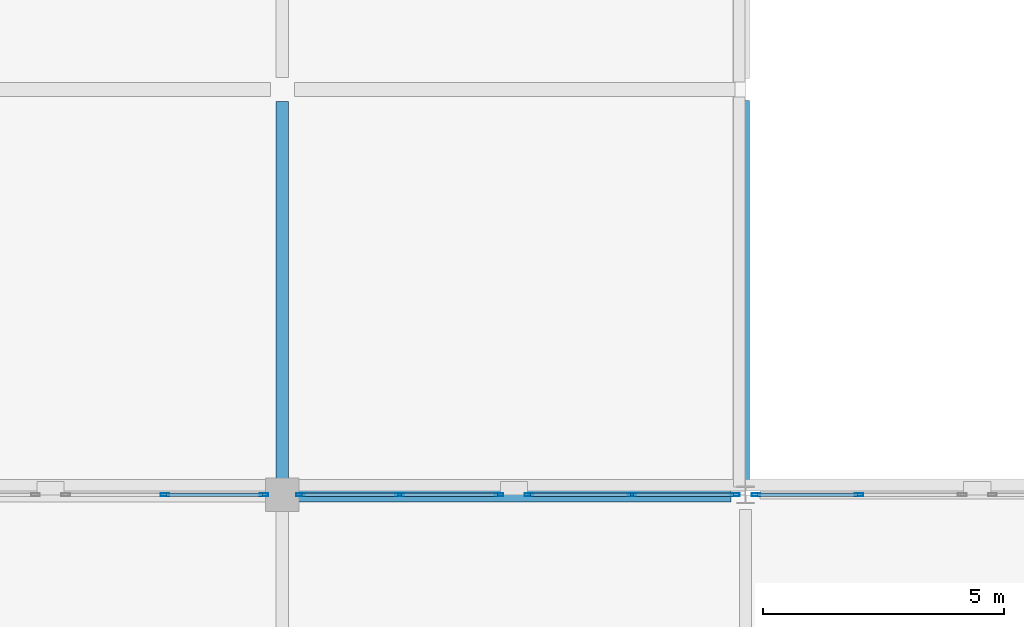
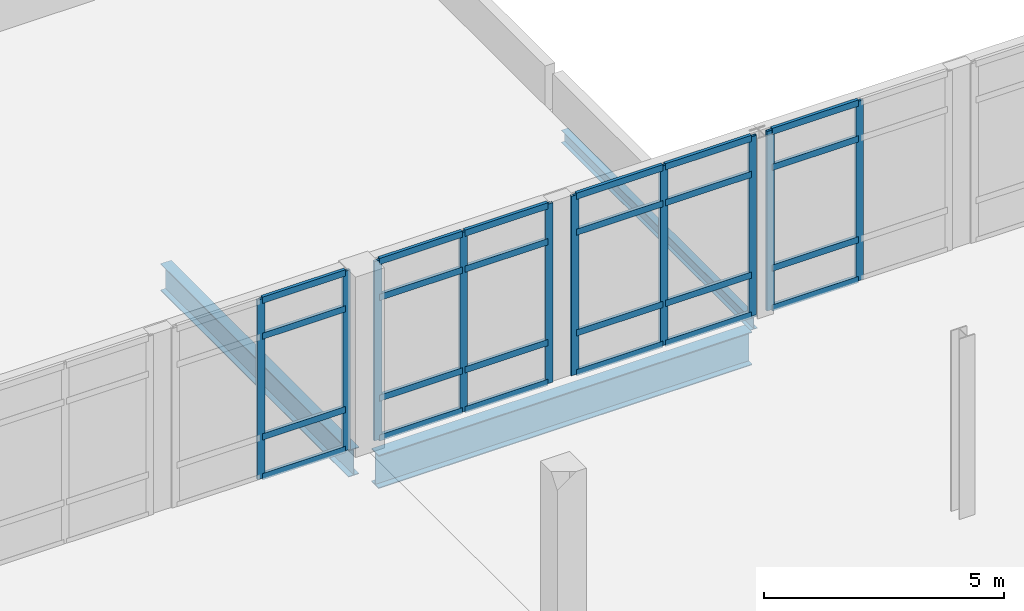
# One storey, part 19 of 52: 34 members, 3 beams, 4 elements without a shape of their own.
"""IFC4 building model written with IfcOpenShell, lengths in metres."""

from ifc_helpers import new_model, si_unit, direction, frame, origin, origin_2d, place, context, subcontext, project, spatial, hollow_rectangle, i_section, extrude, material, layer, layer_set, material_profile, profile_set, type_object, element, aggregate, save


model = new_model("IFC4")

# Units and contexts
model_context = context("Model", 3, precision=1e-05, world=origin(), true_north=direction((0.0, 1.0)))
body_context = subcontext(model_context, "Body", "Model", "MODEL_VIEW")
ifc_project = project(units=[si_unit("LENGTHUNIT", "METRE"), si_unit("AREAUNIT", "SQUARE_METRE"), si_unit("VOLUMEUNIT", "CUBIC_METRE"), si_unit("PLANEANGLEUNIT", "RADIAN"), si_unit("MASSUNIT", "GRAM", prefix="KILO")], contexts=[model_context])

# Site, building, storey
site_placement = place(None, origin())
site = spatial("IfcSite", under=ifc_project, at=site_placement, CompositionType="ELEMENT")
building_placement = place(site_placement, origin())
building = spatial("IfcBuilding", under=site, at=building_placement, Name="Lornevale Opera House", CompositionType="ELEMENT")
storey_placement = place(building_placement, frame((0.0, 0.0, 15.0)))
storey = spatial("IfcBuildingStorey", under=building, at=storey_placement, Name="L04", CompositionType="ELEMENT", Elevation=15.0)

# Curtain wall, members
ifc_material_1 = material(Name="Anodized Oxide-Green Aluminium Framing", Category="aluminium")
ifc_layer = layer(ifc_material_1, 0.18505859375)
ifc_layer_set = layer_set([ifc_layer], Name="Anodized Oxide-Green Aluminium Framing")
curtain_wall_type = type_object("IfcCurtainWallType", Name="Conservatory Curtain Wall M2100", PredefinedType="NOTDEFINED", material=ifc_layer_set)
curtain_wall_1_placement = place(storey_placement, origin())
curtain_wall_1 = element("IfcCurtainWall", 1, at=curtain_wall_1_placement, inside=storey, type_object=curtain_wall_type, Name="Conservatory Curtain Wall M2100 CW-152", PredefinedType="NOTDEFINED")
ifc_material_profile_1 = material_profile(ifc_material_1, hollow_rectangle(XDim=0.06494140625, YDim=0.179931640625, WallThickness=0.0048828125, at=origin_2d()), Name="ALU65x180x5")
ifc_profile_set_1 = profile_set([ifc_material_profile_1], Name="Anodized Oxide-Green Aluminium Framing")
member_type_1 = type_object("IfcMemberType", Name="Curtain Wall Mullion 65x180", PredefinedType="MULLION", material=ifc_profile_set_1)
member_1_placement = place(storey_placement, frame((112.76708984375, 75.60009765625, 0.0), z_axis=(0.0, 0.0, 1.0), x_axis=(0.0, 1.0, 0.0)))
member_1 = element("IfcMember", 2, at=member_1_placement, type_object=member_type_1, Name="Curtain Wall Mullion 65x180 CW3137", PredefinedType="MULLION", context=body_context, shape_type="SweptSolid", body=[
    extrude(hollow_rectangle(XDim=0.06494140625, YDim=0.179931640625, WallThickness=0.0048828125, at=origin_2d()), origin(), (0.0, 0.0, 1.0), 4.56005859375),
])
member_2_placement = place(storey_placement, frame((114.821533203125, 75.60009765625, 0.0), z_axis=(0.0, 0.0, 1.0), x_axis=(0.0, 1.0, 0.0)))
member_2 = element("IfcMember", 3, at=member_2_placement, type_object=member_type_1, Name="Curtain Wall Mullion 65x180 CW3138", PredefinedType="MULLION", context=body_context, shape_type="SweptSolid", body=[
    extrude(hollow_rectangle(XDim=0.06494140625, YDim=0.179931640625, WallThickness=0.0048828125, at=origin_2d()), origin(), (0.0, 0.0, 1.0), 4.56005859375),
])

curtain_wall_2_placement = place(storey_placement, origin())
curtain_wall_2 = element("IfcCurtainWall", 4, at=curtain_wall_2_placement, inside=storey, type_object=curtain_wall_type, Name="Conservatory Curtain Wall M2100 CW-155", PredefinedType="NOTDEFINED")
member_3_placement = place(storey_placement, frame((115.57861328125, 75.60009765625, 0.0), z_axis=(0.0, 0.0, 1.0), x_axis=(0.0, 1.0, 0.0)))
member_3 = element("IfcMember", 5, at=member_3_placement, type_object=member_type_1, Name="Curtain Wall Mullion 65x180 CW3187", PredefinedType="MULLION", context=body_context, shape_type="SweptSolid", body=[
    extrude(hollow_rectangle(XDim=0.06494140625, YDim=0.179931640625, WallThickness=0.0048828125, at=origin_2d()), origin(), (0.0, 0.0, 1.0), 4.56005859375),
])
member_4_placement = place(storey_placement, frame((117.633056640625, 75.60009765625, 0.0), z_axis=(0.0, 0.0, 1.0), x_axis=(0.0, 1.0, 0.0)))
member_4 = element("IfcMember", 6, at=member_4_placement, type_object=member_type_1, Name="Curtain Wall Mullion 65x180 CW3188", PredefinedType="MULLION", context=body_context, shape_type="SweptSolid", body=[
    extrude(hollow_rectangle(XDim=0.06494140625, YDim=0.179931640625, WallThickness=0.0048828125, at=origin_2d()), origin(), (0.0, 0.0, 1.0), 4.56005859375),
])
member_5_placement = place(storey_placement, frame((119.6875, 75.60009765625, 0.0), z_axis=(0.0, 0.0, 1.0), x_axis=(0.0, 1.0, 0.0)))
member_5 = element("IfcMember", 7, at=member_5_placement, type_object=member_type_1, Name="Curtain Wall Mullion 65x180 CW3189", PredefinedType="MULLION", context=body_context, shape_type="SweptSolid", body=[
    extrude(hollow_rectangle(XDim=0.06494140625, YDim=0.179931640625, WallThickness=0.0048828125, at=origin_2d()), origin(), (0.0, 0.0, 1.0), 4.56005859375),
])

curtain_wall_3_placement = place(storey_placement, origin())
curtain_wall_3 = element("IfcCurtainWall", 8, at=curtain_wall_3_placement, inside=storey, type_object=curtain_wall_type, Name="Conservatory Curtain Wall M2100 CW-156", PredefinedType="NOTDEFINED")
member_6_placement = place(storey_placement, frame((120.3125, 75.60009765625, 0.0), z_axis=(0.0, 0.0, 1.0), x_axis=(0.0, 1.0, 0.0)))
member_6 = element("IfcMember", 9, at=member_6_placement, type_object=member_type_1, Name="Curtain Wall Mullion 65x180 CW3204", PredefinedType="MULLION", context=body_context, shape_type="SweptSolid", body=[
    extrude(hollow_rectangle(XDim=0.06494140625, YDim=0.179931640625, WallThickness=0.0048828125, at=origin_2d()), origin(), (0.0, 0.0, 1.0), 4.56005859375),
])
member_7_placement = place(storey_placement, frame((122.44873046875, 75.60009765625, 0.0), z_axis=(0.0, 0.0, 1.0), x_axis=(0.0, 1.0, 0.0)))
member_7 = element("IfcMember", 10, at=member_7_placement, type_object=member_type_1, Name="Curtain Wall Mullion 65x180 CW3205", PredefinedType="MULLION", context=body_context, shape_type="SweptSolid", body=[
    extrude(hollow_rectangle(XDim=0.06494140625, YDim=0.179931640625, WallThickness=0.0048828125, at=origin_2d()), origin(), (0.0, 0.0, 1.0), 4.56005859375),
])
member_8_placement = place(storey_placement, frame((124.5849609375, 75.60009765625, 0.0), z_axis=(0.0, 0.0, 1.0), x_axis=(0.0, 1.0, 0.0)))
member_8 = element("IfcMember", 11, at=member_8_placement, type_object=member_type_1, Name="Curtain Wall Mullion 65x180 CW3206", PredefinedType="MULLION", context=body_context, shape_type="SweptSolid", body=[
    extrude(hollow_rectangle(XDim=0.06494140625, YDim=0.179931640625, WallThickness=0.0048828125, at=origin_2d()), origin(), (0.0, 0.0, 1.0), 4.56005859375),
])

curtain_wall_4_placement = place(storey_placement, origin())
curtain_wall_4 = element("IfcCurtainWall", 12, at=curtain_wall_4_placement, inside=storey, type_object=curtain_wall_type, Name="Conservatory Curtain Wall M2100 CW-159", PredefinedType="NOTDEFINED")
member_9_placement = place(storey_placement, frame((125.014892578125, 75.60009765625, 0.0), z_axis=(0.0, 0.0, 1.0), x_axis=(0.0, 1.0, 0.0)))
member_9 = element("IfcMember", 13, at=member_9_placement, type_object=member_type_1, Name="Curtain Wall Mullion 65x180 CW3255", PredefinedType="MULLION", context=body_context, shape_type="SweptSolid", body=[
    extrude(hollow_rectangle(XDim=0.06494140625, YDim=0.179931640625, WallThickness=0.0048828125, at=origin_2d()), origin(), (0.0, 0.0, 1.0), 4.56005859375),
])
member_10_placement = place(storey_placement, frame((127.1513671875, 75.60009765625, 0.0), z_axis=(0.0, 0.0, 1.0), x_axis=(0.0, 1.0, 0.0)))
member_10 = element("IfcMember", 14, at=member_10_placement, type_object=member_type_1, Name="Curtain Wall Mullion 65x180 CW3256", PredefinedType="MULLION", context=body_context, shape_type="SweptSolid", body=[
    extrude(hollow_rectangle(XDim=0.06494140625, YDim=0.179931640625, WallThickness=0.0048828125, at=origin_2d()), origin(), (0.0, 0.0, 1.0), 4.56005859375),
])

# Member
ifc_material_profile_2 = material_profile(ifc_material_1, hollow_rectangle(XDim=0.074951171875, YDim=0.159912109375, WallThickness=0.0048828125, at=origin_2d()), Name="ALU75x160x5")
ifc_profile_set_2 = profile_set([ifc_material_profile_2], Name="Anodized Oxide-Green Aluminium Framing")
member_type_2 = type_object("IfcMemberType", Name="Curtain Wall Transom 75x160", PredefinedType="USERDEFINED", material=ifc_profile_set_2)
member_11_placement = place(storey_placement, frame((112.799560546875, 75.60009765625, 0.03759765625), z_axis=(1.0, 0.0, 0.0), x_axis=(0.0, 1.0, 0.0)))
member_11 = element("IfcMember", 15, at=member_11_placement, type_object=member_type_2, Name="Curtain Wall Transom 75x160 CW3146", ObjectType="TRANSOM", PredefinedType="USERDEFINED", context=body_context, shape_type="SweptSolid", body=[
    extrude(hollow_rectangle(XDim=0.074951171875, YDim=0.159912109375, WallThickness=0.0048828125, at=origin_2d()), origin(), (0.0, 0.0, 1.0), 1.989501953125),
])

member_12_placement = place(storey_placement, frame((112.799560546875, 75.60009765625, 1.050048828125), z_axis=(1.0, 0.0, 0.0), x_axis=(0.0, 1.0, 0.0)))
member_12 = element("IfcMember", 16, at=member_12_placement, type_object=member_type_2, Name="Curtain Wall Transom 75x160 CW3147", ObjectType="TRANSOM", PredefinedType="USERDEFINED", context=body_context, shape_type="SweptSolid", body=[
    extrude(hollow_rectangle(XDim=0.074951171875, YDim=0.159912109375, WallThickness=0.0048828125, at=origin_2d()), origin(), (0.0, 0.0, 1.0), 1.989501953125),
])

member_13_placement = place(storey_placement, frame((112.799560546875, 75.60009765625, 3.610107421875), z_axis=(1.0, 0.0, 0.0), x_axis=(0.0, 1.0, 0.0)))
member_13 = element("IfcMember", 17, at=member_13_placement, type_object=member_type_2, Name="Curtain Wall Transom 75x160 CW3148", ObjectType="TRANSOM", PredefinedType="USERDEFINED", context=body_context, shape_type="SweptSolid", body=[
    extrude(hollow_rectangle(XDim=0.074951171875, YDim=0.159912109375, WallThickness=0.0048828125, at=origin_2d()), origin(), (0.0, 0.0, 1.0), 1.989501953125),
])

member_14_placement = place(storey_placement, frame((112.799560546875, 75.60009765625, 4.5224609375), z_axis=(1.0, 0.0, 0.0), x_axis=(0.0, 1.0, 0.0)))
member_14 = element("IfcMember", 18, at=member_14_placement, type_object=member_type_2, Name="Curtain Wall Transom 75x160 CW3149", ObjectType="TRANSOM", PredefinedType="USERDEFINED", context=body_context, shape_type="SweptSolid", body=[
    extrude(hollow_rectangle(XDim=0.074951171875, YDim=0.159912109375, WallThickness=0.0048828125, at=origin_2d()), origin(), (0.0, 0.0, 1.0), 1.989501953125),
])

aggregate(curtain_wall_1, [member_1, member_2, member_11, member_12, member_13, member_14])

member_15_placement = place(storey_placement, frame((115.611083984375, 75.60009765625, 0.03759765625), z_axis=(1.0, 0.0, 0.0), x_axis=(0.0, 1.0, 0.0)))
member_15 = element("IfcMember", 19, at=member_15_placement, type_object=member_type_2, Name="Curtain Wall Transom 75x160 CW3190", ObjectType="TRANSOM", PredefinedType="USERDEFINED", context=body_context, shape_type="SweptSolid", body=[
    extrude(hollow_rectangle(XDim=0.074951171875, YDim=0.159912109375, WallThickness=0.0048828125, at=origin_2d()), origin(), (0.0, 0.0, 1.0), 1.989501953125),
])

member_16_placement = place(storey_placement, frame((115.611083984375, 75.60009765625, 1.050048828125), z_axis=(1.0, 0.0, 0.0), x_axis=(0.0, 1.0, 0.0)))
member_16 = element("IfcMember", 20, at=member_16_placement, type_object=member_type_2, Name="Curtain Wall Transom 75x160 CW3191", ObjectType="TRANSOM", PredefinedType="USERDEFINED", context=body_context, shape_type="SweptSolid", body=[
    extrude(hollow_rectangle(XDim=0.074951171875, YDim=0.159912109375, WallThickness=0.0048828125, at=origin_2d()), origin(), (0.0, 0.0, 1.0), 1.989501953125),
])

member_17_placement = place(storey_placement, frame((115.611083984375, 75.60009765625, 3.610107421875), z_axis=(1.0, 0.0, 0.0), x_axis=(0.0, 1.0, 0.0)))
member_17 = element("IfcMember", 21, at=member_17_placement, type_object=member_type_2, Name="Curtain Wall Transom 75x160 CW3192", ObjectType="TRANSOM", PredefinedType="USERDEFINED", context=body_context, shape_type="SweptSolid", body=[
    extrude(hollow_rectangle(XDim=0.074951171875, YDim=0.159912109375, WallThickness=0.0048828125, at=origin_2d()), origin(), (0.0, 0.0, 1.0), 1.989501953125),
])

member_18_placement = place(storey_placement, frame((115.611083984375, 75.60009765625, 4.5224609375), z_axis=(1.0, 0.0, 0.0), x_axis=(0.0, 1.0, 0.0)))
member_18 = element("IfcMember", 22, at=member_18_placement, type_object=member_type_2, Name="Curtain Wall Transom 75x160 CW3193", ObjectType="TRANSOM", PredefinedType="USERDEFINED", context=body_context, shape_type="SweptSolid", body=[
    extrude(hollow_rectangle(XDim=0.074951171875, YDim=0.159912109375, WallThickness=0.0048828125, at=origin_2d()), origin(), (0.0, 0.0, 1.0), 1.989501953125),
])

member_19_placement = place(storey_placement, frame((117.66552734375, 75.60009765625, 0.03759765625), z_axis=(1.0, 0.0, 0.0), x_axis=(0.0, 1.0, 0.0)))
member_19 = element("IfcMember", 23, at=member_19_placement, type_object=member_type_2, Name="Curtain Wall Transom 75x160 CW3197", ObjectType="TRANSOM", PredefinedType="USERDEFINED", context=body_context, shape_type="SweptSolid", body=[
    extrude(hollow_rectangle(XDim=0.074951171875, YDim=0.159912109375, WallThickness=0.0048828125, at=origin_2d()), origin(), (0.0, 0.0, 1.0), 1.989501953125),
])

member_20_placement = place(storey_placement, frame((117.66552734375, 75.60009765625, 1.050048828125), z_axis=(1.0, 0.0, 0.0), x_axis=(0.0, 1.0, 0.0)))
member_20 = element("IfcMember", 24, at=member_20_placement, type_object=member_type_2, Name="Curtain Wall Transom 75x160 CW3198", ObjectType="TRANSOM", PredefinedType="USERDEFINED", context=body_context, shape_type="SweptSolid", body=[
    extrude(hollow_rectangle(XDim=0.074951171875, YDim=0.159912109375, WallThickness=0.0048828125, at=origin_2d()), origin(), (0.0, 0.0, 1.0), 1.989501953125),
])

member_21_placement = place(storey_placement, frame((117.66552734375, 75.60009765625, 3.610107421875), z_axis=(1.0, 0.0, 0.0), x_axis=(0.0, 1.0, 0.0)))
member_21 = element("IfcMember", 25, at=member_21_placement, type_object=member_type_2, Name="Curtain Wall Transom 75x160 CW3199", ObjectType="TRANSOM", PredefinedType="USERDEFINED", context=body_context, shape_type="SweptSolid", body=[
    extrude(hollow_rectangle(XDim=0.074951171875, YDim=0.159912109375, WallThickness=0.0048828125, at=origin_2d()), origin(), (0.0, 0.0, 1.0), 1.989501953125),
])

member_22_placement = place(storey_placement, frame((117.66552734375, 75.60009765625, 4.5224609375), z_axis=(1.0, 0.0, 0.0), x_axis=(0.0, 1.0, 0.0)))
member_22 = element("IfcMember", 26, at=member_22_placement, type_object=member_type_2, Name="Curtain Wall Transom 75x160 CW3200", ObjectType="TRANSOM", PredefinedType="USERDEFINED", context=body_context, shape_type="SweptSolid", body=[
    extrude(hollow_rectangle(XDim=0.074951171875, YDim=0.159912109375, WallThickness=0.0048828125, at=origin_2d()), origin(), (0.0, 0.0, 1.0), 1.989501953125),
])

aggregate(curtain_wall_2, [member_3, member_4, member_5, member_15, member_16, member_17, member_18, member_19, member_20, member_21, member_22])

member_23_placement = place(storey_placement, frame((120.344970703125, 75.60009765625, 0.03759765625), z_axis=(1.0, 0.0, 0.0), x_axis=(0.0, 1.0, 0.0)))
member_23 = element("IfcMember", 27, at=member_23_placement, type_object=member_type_2, Name="Curtain Wall Transom 75x160 CW3207", ObjectType="TRANSOM", PredefinedType="USERDEFINED", context=body_context, shape_type="SweptSolid", body=[
    extrude(hollow_rectangle(XDim=0.074951171875, YDim=0.159912109375, WallThickness=0.0048828125, at=origin_2d()), origin(), (0.0, 0.0, 1.0), 2.0712890625),
])

member_24_placement = place(storey_placement, frame((120.344970703125, 75.60009765625, 1.050048828125), z_axis=(1.0, 0.0, 0.0), x_axis=(0.0, 1.0, 0.0)))
member_24 = element("IfcMember", 28, at=member_24_placement, type_object=member_type_2, Name="Curtain Wall Transom 75x160 CW3208", ObjectType="TRANSOM", PredefinedType="USERDEFINED", context=body_context, shape_type="SweptSolid", body=[
    extrude(hollow_rectangle(XDim=0.074951171875, YDim=0.159912109375, WallThickness=0.0048828125, at=origin_2d()), origin(), (0.0, 0.0, 1.0), 2.0712890625),
])

member_25_placement = place(storey_placement, frame((120.344970703125, 75.60009765625, 3.610107421875), z_axis=(1.0, 0.0, 0.0), x_axis=(0.0, 1.0, 0.0)))
member_25 = element("IfcMember", 29, at=member_25_placement, type_object=member_type_2, Name="Curtain Wall Transom 75x160 CW3209", ObjectType="TRANSOM", PredefinedType="USERDEFINED", context=body_context, shape_type="SweptSolid", body=[
    extrude(hollow_rectangle(XDim=0.074951171875, YDim=0.159912109375, WallThickness=0.0048828125, at=origin_2d()), origin(), (0.0, 0.0, 1.0), 2.0712890625),
])

member_26_placement = place(storey_placement, frame((120.344970703125, 75.60009765625, 4.5224609375), z_axis=(1.0, 0.0, 0.0), x_axis=(0.0, 1.0, 0.0)))
member_26 = element("IfcMember", 30, at=member_26_placement, type_object=member_type_2, Name="Curtain Wall Transom 75x160 CW3210", ObjectType="TRANSOM", PredefinedType="USERDEFINED", context=body_context, shape_type="SweptSolid", body=[
    extrude(hollow_rectangle(XDim=0.074951171875, YDim=0.159912109375, WallThickness=0.0048828125, at=origin_2d()), origin(), (0.0, 0.0, 1.0), 2.0712890625),
])

member_27_placement = place(storey_placement, frame((122.481201171875, 75.60009765625, 0.03759765625), z_axis=(1.0, 0.0, 0.0), x_axis=(0.0, 1.0, 0.0)))
member_27 = element("IfcMember", 31, at=member_27_placement, type_object=member_type_2, Name="Curtain Wall Transom 75x160 CW3214", ObjectType="TRANSOM", PredefinedType="USERDEFINED", context=body_context, shape_type="SweptSolid", body=[
    extrude(hollow_rectangle(XDim=0.074951171875, YDim=0.159912109375, WallThickness=0.0048828125, at=origin_2d()), origin(), (0.0, 0.0, 1.0), 2.0712890625),
])

member_28_placement = place(storey_placement, frame((122.481201171875, 75.60009765625, 1.050048828125), z_axis=(1.0, 0.0, 0.0), x_axis=(0.0, 1.0, 0.0)))
member_28 = element("IfcMember", 32, at=member_28_placement, type_object=member_type_2, Name="Curtain Wall Transom 75x160 CW3215", ObjectType="TRANSOM", PredefinedType="USERDEFINED", context=body_context, shape_type="SweptSolid", body=[
    extrude(hollow_rectangle(XDim=0.074951171875, YDim=0.159912109375, WallThickness=0.0048828125, at=origin_2d()), origin(), (0.0, 0.0, 1.0), 2.0712890625),
])

member_29_placement = place(storey_placement, frame((122.481201171875, 75.60009765625, 3.610107421875), z_axis=(1.0, 0.0, 0.0), x_axis=(0.0, 1.0, 0.0)))
member_29 = element("IfcMember", 33, at=member_29_placement, type_object=member_type_2, Name="Curtain Wall Transom 75x160 CW3216", ObjectType="TRANSOM", PredefinedType="USERDEFINED", context=body_context, shape_type="SweptSolid", body=[
    extrude(hollow_rectangle(XDim=0.074951171875, YDim=0.159912109375, WallThickness=0.0048828125, at=origin_2d()), origin(), (0.0, 0.0, 1.0), 2.0712890625),
])

member_30_placement = place(storey_placement, frame((122.481201171875, 75.60009765625, 4.5224609375), z_axis=(1.0, 0.0, 0.0), x_axis=(0.0, 1.0, 0.0)))
member_30 = element("IfcMember", 34, at=member_30_placement, type_object=member_type_2, Name="Curtain Wall Transom 75x160 CW3217", ObjectType="TRANSOM", PredefinedType="USERDEFINED", context=body_context, shape_type="SweptSolid", body=[
    extrude(hollow_rectangle(XDim=0.074951171875, YDim=0.159912109375, WallThickness=0.0048828125, at=origin_2d()), origin(), (0.0, 0.0, 1.0), 2.0712890625),
])

aggregate(curtain_wall_3, [member_6, member_7, member_8, member_23, member_24, member_25, member_26, member_27, member_28, member_29, member_30])

member_31_placement = place(storey_placement, frame((125.047607421875, 75.60009765625, 0.03759765625), z_axis=(1.0, 0.0, 0.0), x_axis=(0.0, 1.0, 0.0)))
member_31 = element("IfcMember", 35, at=member_31_placement, type_object=member_type_2, Name="Curtain Wall Transom 75x160 CW3258", ObjectType="TRANSOM", PredefinedType="USERDEFINED", context=body_context, shape_type="SweptSolid", body=[
    extrude(hollow_rectangle(XDim=0.074951171875, YDim=0.159912109375, WallThickness=0.0048828125, at=origin_2d()), origin(), (0.0, 0.0, 1.0), 2.071044921875),
])

member_32_placement = place(storey_placement, frame((125.047607421875, 75.60009765625, 1.050048828125), z_axis=(1.0, 0.0, 0.0), x_axis=(0.0, 1.0, 0.0)))
member_32 = element("IfcMember", 36, at=member_32_placement, type_object=member_type_2, Name="Curtain Wall Transom 75x160 CW3259", ObjectType="TRANSOM", PredefinedType="USERDEFINED", context=body_context, shape_type="SweptSolid", body=[
    extrude(hollow_rectangle(XDim=0.074951171875, YDim=0.159912109375, WallThickness=0.0048828125, at=origin_2d()), origin(), (0.0, 0.0, 1.0), 2.071044921875),
])

member_33_placement = place(storey_placement, frame((125.047607421875, 75.60009765625, 3.610107421875), z_axis=(1.0, 0.0, 0.0), x_axis=(0.0, 1.0, 0.0)))
member_33 = element("IfcMember", 37, at=member_33_placement, type_object=member_type_2, Name="Curtain Wall Transom 75x160 CW3260", ObjectType="TRANSOM", PredefinedType="USERDEFINED", context=body_context, shape_type="SweptSolid", body=[
    extrude(hollow_rectangle(XDim=0.074951171875, YDim=0.159912109375, WallThickness=0.0048828125, at=origin_2d()), origin(), (0.0, 0.0, 1.0), 2.071044921875),
])

member_34_placement = place(storey_placement, frame((125.047607421875, 75.60009765625, 4.5224609375), z_axis=(1.0, 0.0, 0.0), x_axis=(0.0, 1.0, 0.0)))
member_34 = element("IfcMember", 38, at=member_34_placement, type_object=member_type_2, Name="Curtain Wall Transom 75x160 CW3261", ObjectType="TRANSOM", PredefinedType="USERDEFINED", context=body_context, shape_type="SweptSolid", body=[
    extrude(hollow_rectangle(XDim=0.074951171875, YDim=0.159912109375, WallThickness=0.0048828125, at=origin_2d()), origin(), (0.0, 0.0, 1.0), 2.071044921875),
])

aggregate(curtain_wall_4, [member_9, member_10, member_31, member_32, member_33, member_34])

# Beams
ifc_material_2 = material(Name="Structural Steel CSA G40.21 Grade 350W (350 MPa)", Category="steel")
ifc_material_profile_3 = material_profile(ifc_material_2, i_section(OverallWidth=0.299072265625, OverallDepth=0.845947265625, WebThickness=0.015380859375, FlangeThickness=0.0244140625, at=origin_2d()), Name="W840x210")
ifc_profile_set_3 = profile_set([ifc_material_profile_3], Name="Structural Steel CSA G40.21 Grade 350W (350 MPa)")
beam_type_1 = type_object("IfcBeamType", Name="Steel Clear-Span Girder W840x210", PredefinedType="USERDEFINED", material=ifc_profile_set_3)
beam_1_placement = place(storey_placement, frame((115.52490234375, 75.60009765625, -0.72802734375), z_axis=(1.0, 0.0, 0.0), x_axis=(0.0, 1.0, 0.0)))
element("IfcBeam", 39, at=beam_1_placement, inside=storey, type_object=beam_type_1, Name="Steel Clear-Span Girder W840x210 2538", ObjectType="GIRDER", PredefinedType="USERDEFINED", context=body_context, shape_type="SweptSolid", body=[
    extrude(i_section(OverallWidth=0.299072265625, OverallDepth=0.845947265625, WebThickness=0.015380859375, FlangeThickness=0.0244140625, at=origin_2d()), origin(), (0.0, 0.0, 1.0), 8.97509765625),
])
ifc_material_profile_4 = material_profile(ifc_material_2, i_section(OverallWidth=0.25390625, OverallDepth=0.68798828125, WebThickness=0.01318359375, FlangeThickness=0.02099609375, at=origin_2d()), Name="W690x152")
ifc_profile_set_4 = profile_set([ifc_material_profile_4], Name="Structural Steel CSA G40.21 Grade 350W (350 MPa)")
beam_type_2 = type_object("IfcBeamType", Name="Steel Foyer Beam W690x152", PredefinedType="USERDEFINED", material=ifc_profile_set_4)
beam_2_placement = place(storey_placement, frame((115.199951171875, 75.925048828125, -0.64892578125), z_axis=(0.0, 1.0, 0.0), x_axis=(-1.0, 0.0, 0.0)))
element("IfcBeam", 40, at=beam_2_placement, inside=storey, type_object=beam_type_2, Name="Steel Foyer Beam W690x152 2628", ObjectType="GIRDER", PredefinedType="USERDEFINED", context=body_context, shape_type="SweptSolid", body=[
    extrude(i_section(OverallWidth=0.25390625, OverallDepth=0.68798828125, WebThickness=0.01318359375, FlangeThickness=0.02099609375, at=origin_2d()), origin(), (0.0, 0.0, 1.0), 7.824951171875),
])
ifc_material_profile_5 = material_profile(ifc_material_2, i_section(OverallWidth=0.1669921875, OverallDepth=0.31689453125, WebThickness=0.007568359375, FlangeThickness=0.01318359375, at=origin_2d()), Name="W310x52")
ifc_profile_set_5 = profile_set([ifc_material_profile_5], Name="Structural Steel CSA G40.21 Grade 350W (350 MPa)")
beam_type_3 = type_object("IfcBeamType", Name="Steel Spandrel Beam W310x52", PredefinedType="SPANDREL", material=ifc_profile_set_5)
beam_3_placement = place(storey_placement, frame((124.800048828125, 75.89990234375, -0.46337890625), z_axis=(0.0, 1.0, 0.0), x_axis=(-1.0, 0.0, 0.0)))
element("IfcBeam", 41, at=beam_3_placement, inside=storey, type_object=beam_type_3, Name="Steel Spandrel Beam W310x52 2637", PredefinedType="SPANDREL", context=body_context, shape_type="SweptSolid", body=[
    extrude(i_section(OverallWidth=0.1669921875, OverallDepth=0.31689453125, WebThickness=0.007568359375, FlangeThickness=0.01318359375, at=origin_2d()), origin(), (0.0, 0.0, 1.0), 7.875),
])

save(model, "model.ifc")
